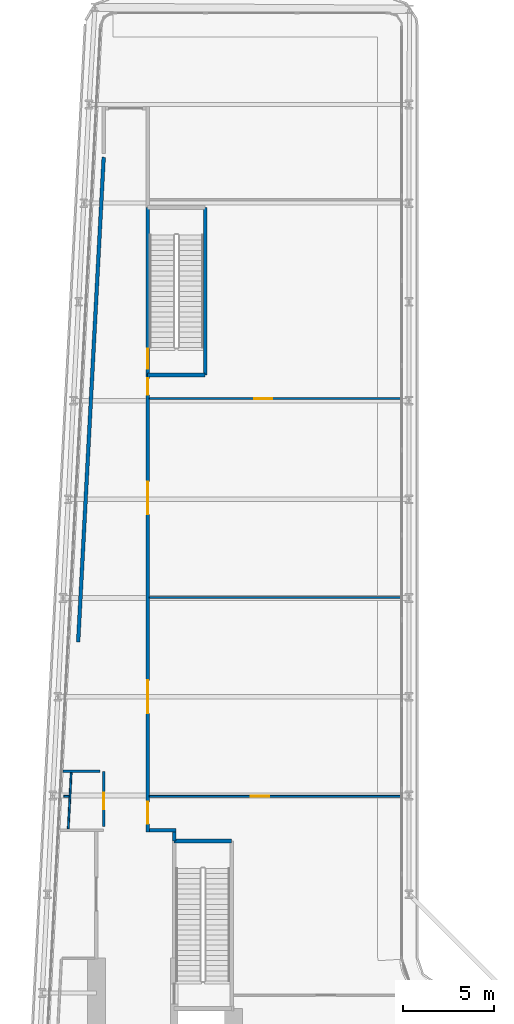
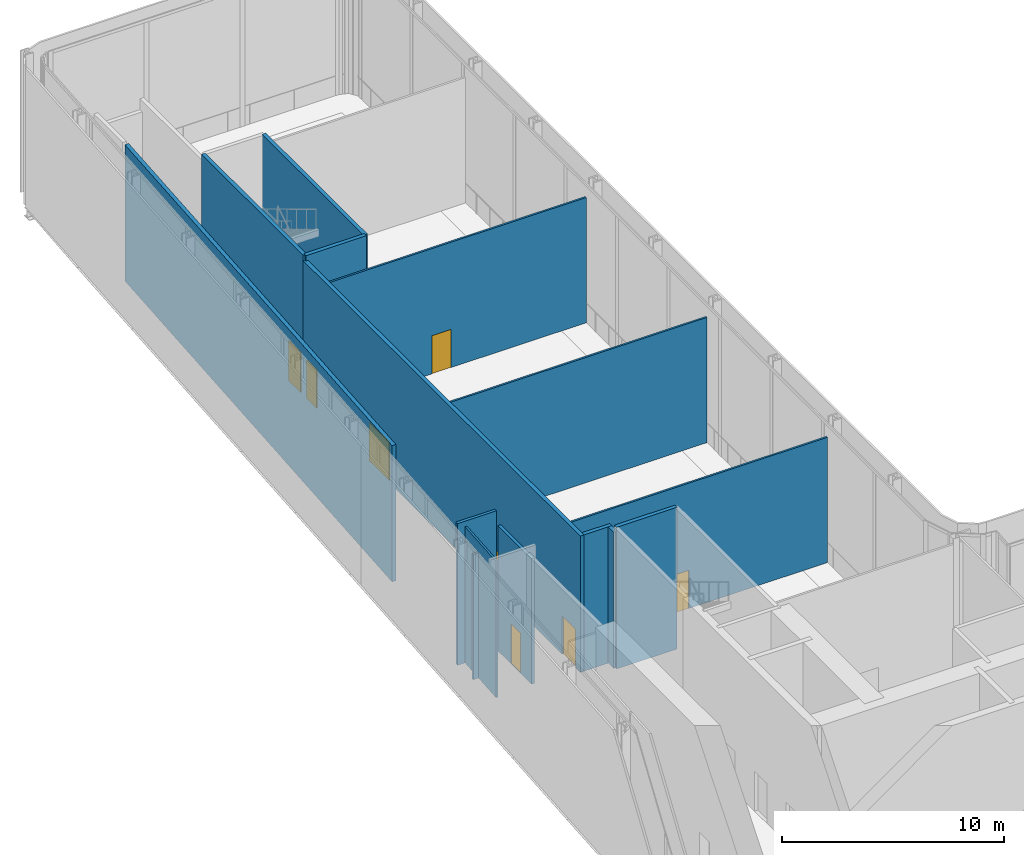
# One storey, part 27 of 36: 15 walls, 8 doors, 8 openings.
"""IFC4 building model written with IfcOpenShell, lengths in metres."""

from ifc_helpers import new_model, si_unit, direction, frame, frame_2d, origin, place, context, subcontext, project, spatial, rectangle, extrude, source, transform, mapped, material, layer, layer_set, type_object, element, fill, save


model = new_model("IFC4")

# Units and contexts
model_context = context("Model", 3, precision=1e-05, world=origin(), true_north=direction((0.0, 1.0)))
body_context = subcontext(model_context, "Body", "Model", "MODEL_VIEW")
ifc_project = project(units=[si_unit("LENGTHUNIT", "METRE"), si_unit("AREAUNIT", "SQUARE_METRE"), si_unit("VOLUMEUNIT", "CUBIC_METRE"), si_unit("PLANEANGLEUNIT", "RADIAN"), si_unit("MASSUNIT", "GRAM", prefix="KILO")], contexts=[model_context])

# Site, building, storey
site_placement = place(None, origin())
site = spatial("IfcSite", under=ifc_project, at=site_placement, CompositionType="ELEMENT")
building_placement = place(site_placement, origin())
building = spatial("IfcBuilding", under=site, at=building_placement, Name="Kheshtan School and Residences Tower", CompositionType="ELEMENT")
storey_placement = place(building_placement, frame((0.0, 0.0, 81.199951171875)))
storey = spatial("IfcBuildingStorey", under=building, at=storey_placement, Name="L19", CompositionType="ELEMENT", Elevation=81.199951171875)

# Wall
ifc_material_1 = material(Name="Gypsum board on steel studs with fire boards", Category="steel")
ifc_layer_1 = layer(ifc_material_1, 0.199951171875)
ifc_layer_set_1 = layer_set([ifc_layer_1], Name="Corridor wall 200")
wall_type_1 = type_object("IfcWallType", Name="Corridor wall 200", PredefinedType="PARTITIONING", material=ifc_layer_set_1)
wall_1_placement = place(storey_placement, frame((29.5009765625, 64.800048828125, 0.0), z_axis=(0.0, 0.0, 1.0), x_axis=(0.052619165502, 0.998614652117, 0.0)))
element("IfcWall", 1, at=wall_1_placement, inside=storey, type_object=wall_type_1, Name="Partition L19-012", PredefinedType="PARTITIONING", context=body_context, shape_type="SweptSolid", body=[
    extrude(rectangle(XDim=26.548828125, YDim=0.199951171875, at=frame_2d((13.2744140625, 0.0))), origin(), (0.0, 0.0, 1.0), 7.5),
])

# Wall, openings, doors
wall_2_placement = place(storey_placement, frame((33.300048828125, 54.39990234375, 0.0), z_axis=(0.0, 0.0, 1.0), x_axis=(0.0, 1.0, 0.0)))
wall_2 = element("IfcWall", 2, at=wall_2_placement, inside=storey, type_object=wall_type_1, Name="Partition L19-016", PredefinedType="PARTITIONING", context=body_context, shape_type="SweptSolid", body=[
    extrude(rectangle(XDim=25.0, YDim=0.199951171875, at=frame_2d((12.5, 0.0))), origin(), (0.0, 0.0, 1.0), 7.5),
])
opening_1_placement = place(wall_2_placement, frame((0.449951171875, 0.0, 0.0)))
opening_1 = element("IfcOpeningElement", 3, at=opening_1_placement, cuts=wall_2, Name="Opening D19-008", PredefinedType="OPENING", context=body_context, shape_type="SweptSolid", body=[
    extrude(rectangle(XDim=1.199951171875, YDim=2.10009765625, at=frame_2d((0.60009765625, 1.050048828125))), frame((0.0, 0.10986328125, 0.0), z_axis=(0.0, -1.0, 0.0), x_axis=(1.0, 0.0, 0.0)), (0.0, 0.0, 1.0), 0.219970703125),
])
opening_2_placement = place(wall_2_placement, frame((6.492919921875, 0.0, 0.0)))
opening_2 = element("IfcOpeningElement", 4, at=opening_2_placement, cuts=wall_2, Name="Opening D19-010", PredefinedType="OPENING", context=body_context, shape_type="SweptSolid", body=[
    extrude(rectangle(XDim=1.800048828125, YDim=2.10009765625, at=frame_2d((0.89990234375, 1.050048828125))), frame((0.0, 0.10986328125, 0.0), z_axis=(0.0, -1.0, 0.0), x_axis=(1.0, 0.0, 0.0)), (0.0, 0.0, 1.0), 0.219970703125),
])
opening_3_placement = place(wall_2_placement, frame((17.3720703125, 0.0, 0.0)))
opening_3 = element("IfcOpeningElement", 5, at=opening_3_placement, cuts=wall_2, Name="Opening D19-011", PredefinedType="OPENING", context=body_context, shape_type="SweptSolid", body=[
    extrude(rectangle(XDim=1.800048828125, YDim=2.10009765625, at=frame_2d((0.89990234375, 1.050048828125))), frame((0.0, 0.10986328125, 0.0), z_axis=(0.0, -1.0, 0.0), x_axis=(1.0, 0.0, 0.0)), (0.0, 0.0, 1.0), 0.219970703125),
])
opening_4_placement = place(wall_2_placement, frame((23.912109375, 0.0, 0.0)))
opening_4 = element("IfcOpeningElement", 6, at=opening_4_placement, cuts=wall_2, Name="Opening D19-014", PredefinedType="OPENING", context=body_context, shape_type="SweptSolid", body=[
    extrude(rectangle(XDim=0.89990234375, YDim=2.10009765625, at=frame_2d((0.449951171875, 1.050048828125))), frame((0.0, 0.10986328125, 0.0), z_axis=(0.0, -1.0, 0.0), x_axis=(1.0, 0.0, 0.0)), (0.0, 0.0, 1.0), 0.219970703125),
])
ifc_material_2 = material(Name="Steel-framed fire-resisting door leaf", Category="steel")
door_type_1 = type_object("IfcDoorType", Name="Fire double door FD60 1800 x 2100", OperationType="DOUBLE_DOOR_SINGLE_SWING", PredefinedType="DOOR", material=ifc_material_2)
shared_shape_1 = source(origin(), body_context, "Body", "SweptSolid", [
    extrude(rectangle(XDim=1.800048828125, YDim=2.10009765625, at=frame_2d((0.89990234375, 1.050048828125))), frame((0.0, 0.02490234375, 0.0), z_axis=(0.0, -1.0, 0.0), x_axis=(1.0, 0.0, 0.0)), (0.0, 0.0, 1.0), 0.050048828125),
])
door_1_placement = place(opening_2_placement, origin())
door_1 = element("IfcDoor", 7, at=door_1_placement, inside=storey, type_object=door_type_1, Name="Door D19-010", OperationType="DOUBLE_DOOR_SINGLE_SWING", OverallHeight=2.10009765625, OverallWidth=1.800048828125, PredefinedType="DOOR", context=body_context, shape_type="MappedRepresentation", body=[
    mapped(shared_shape_1, transform((0.0, 0.0, 0.0), x_axis=(1.0, 0.0, 0.0), y_axis=(0.0, 1.0, 0.0), z_axis=(0.0, 0.0, 1.0), scale=1.0)),
])
fill(opening_2, door_1)
door_2_placement = place(opening_3_placement, origin())
door_2 = element("IfcDoor", 8, at=door_2_placement, inside=storey, type_object=door_type_1, Name="Door D19-011", OperationType="DOUBLE_DOOR_SINGLE_SWING", OverallHeight=2.10009765625, OverallWidth=1.800048828125, PredefinedType="DOOR", context=body_context, shape_type="MappedRepresentation", body=[
    mapped(shared_shape_1, transform((0.0, 0.0, 0.0), x_axis=(1.0, 0.0, 0.0), y_axis=(0.0, 1.0, 0.0), z_axis=(0.0, 0.0, 1.0), scale=1.0)),
])
fill(opening_3, door_2)
door_type_2 = type_object("IfcDoorType", Name="Fire door FD60 1200 x 2100", OperationType="SINGLE_SWING_LEFT", PredefinedType="DOOR", material=ifc_material_2)
shared_shape_2 = source(origin(), body_context, "Body", "SweptSolid", [
    extrude(rectangle(XDim=1.199951171875, YDim=2.10009765625, at=frame_2d((0.60009765625, 1.050048828125))), frame((0.0, 0.02490234375, 0.0), z_axis=(0.0, -1.0, 0.0), x_axis=(1.0, 0.0, 0.0)), (0.0, 0.0, 1.0), 0.050048828125),
])
door_3_placement = place(opening_1_placement, origin())
door_3 = element("IfcDoor", 9, at=door_3_placement, inside=storey, type_object=door_type_2, Name="Door D19-008", OperationType="SINGLE_SWING_RIGHT", OverallHeight=2.10009765625, OverallWidth=1.199951171875, PredefinedType="DOOR", context=body_context, shape_type="MappedRepresentation", body=[
    mapped(shared_shape_2, transform((0.0, 0.0, 0.0), x_axis=(1.0, 0.0, 0.0), y_axis=(0.0, 1.0, 0.0), z_axis=(0.0, 0.0, 1.0), scale=1.0)),
])
fill(opening_1, door_3)
door_type_3 = type_object("IfcDoorType", Name="Fire door FD60 900 x 2100", OperationType="SINGLE_SWING_LEFT", PredefinedType="DOOR", material=ifc_material_2)
shared_shape_3 = source(origin(), body_context, "Body", "SweptSolid", [
    extrude(rectangle(XDim=0.89990234375, YDim=2.10009765625, at=frame_2d((0.449951171875, 1.050048828125))), frame((0.0, 0.02490234375, 0.0), z_axis=(0.0, -1.0, 0.0), x_axis=(1.0, 0.0, 0.0)), (0.0, 0.0, 1.0), 0.050048828125),
])
door_4_placement = place(opening_4_placement, origin())
door_4 = element("IfcDoor", 10, at=door_4_placement, inside=storey, type_object=door_type_3, Name="Door D19-014", OperationType="SINGLE_SWING_LEFT", OverallHeight=2.10009765625, OverallWidth=0.89990234375, PredefinedType="DOOR", context=body_context, shape_type="MappedRepresentation", body=[
    mapped(shared_shape_3, transform((0.0, 0.0, 0.0), x_axis=(1.0, 0.0, 0.0), y_axis=(0.0, 1.0, 0.0), z_axis=(0.0, 0.0, 1.0), scale=1.0)),
])
fill(opening_4, door_4)

# Walls
wall_3_placement = place(storey_placement, frame((33.39990234375, 54.5, 0.0), z_axis=(0.0, 0.0, 1.0), x_axis=(1.0, 0.0, 0.0)))
element("IfcWall", 11, at=wall_3_placement, inside=storey, type_object=wall_type_1, Name="Partition L19-018", PredefinedType="PARTITIONING", context=body_context, shape_type="SweptSolid", body=[
    extrude(rectangle(XDim=1.4501953125, YDim=0.199951171875, at=frame_2d((0.72509765625, 0.0))), origin(), (0.0, 0.0, 1.0), 7.5),
])
wall_4_placement = place(storey_placement, frame((34.75, 53.909912109375, 0.0), z_axis=(0.0, 0.0, 1.0), x_axis=(0.0, 1.0, 0.0)))
element("IfcWall", 12, at=wall_4_placement, inside=storey, type_object=wall_type_1, Name="Partition L19-023", PredefinedType="PARTITIONING", context=body_context, shape_type="SweptSolid", body=[
    extrude(rectangle(XDim=0.489990234375, YDim=0.199951171875, at=frame_2d((0.2451171875, 0.0))), origin(), (0.0, 0.0, 1.0), 7.5),
])
ifc_material_3 = material(Name="Gypsum board on steel studs", Category="steel")
ifc_layer_2 = layer(ifc_material_3, 0.10009765625)
ifc_layer_set_2 = layer_set([ifc_layer_2], Name="Gypsum partition 100")
wall_type_2 = type_object("IfcWallType", Name="Gypsum partition 100", PredefinedType="PARTITIONING", material=ifc_layer_set_2)
wall_5_placement = place(storey_placement, frame((28.72412109375, 56.35302734375, 0.0), z_axis=(0.0, 0.0, 1.0), x_axis=(1.0, 0.0, 0.0)))
element("IfcWall", 13, at=wall_5_placement, inside=storey, type_object=wall_type_2, Name="Partition L19-010", PredefinedType="PARTITIONING", context=body_context, shape_type="SweptSolid", body=[
    extrude(rectangle(XDim=0.27978515625, YDim=0.10009765625, at=frame_2d((0.139892578125, 0.0))), origin(), (0.0, 0.0, 1.0), 6.89697265625),
])
wall_6_placement = place(storey_placement, frame((28.9599609375, 54.573974609375, 0.0), z_axis=(0.0, 0.0, 1.0), x_axis=(0.052145785312, 0.998639483034, 0.0)))
element("IfcWall", 14, at=wall_6_placement, inside=storey, type_object=wall_type_2, Name="Partition L19-011", PredefinedType="PARTITIONING", context=body_context, shape_type="SweptSolid", body=[
    extrude(rectangle(XDim=3.0712890625, YDim=0.10009765625, at=frame_2d((1.53564453125, 0.0))), origin(), (0.0, 0.0, 1.0), 7.5),
])

# Wall, opening, door
wall_7_placement = place(storey_placement, frame((33.39990234375, 56.35302734375, 0.0), z_axis=(0.0, 0.0, 1.0), x_axis=(1.0, 0.0, 0.0)))
wall_7 = element("IfcWall", 15, at=wall_7_placement, inside=storey, type_object=wall_type_2, Name="Partition L19-019", PredefinedType="PARTITIONING", context=body_context, shape_type="SweptSolid", body=[
    extrude(rectangle(XDim=13.77001953125, YDim=0.10009765625, at=frame_2d((6.885009765625, 0.0))), origin(), (0.0, 0.0, 1.0), 6.89697265625),
])
opening_5_placement = place(wall_7_placement, frame((5.550048828125, 0.0, 0.0)))
opening_5 = element("IfcOpeningElement", 16, at=opening_5_placement, cuts=wall_7, Name="Opening D19-007", PredefinedType="OPENING", context=body_context, shape_type="SweptSolid", body=[
    extrude(rectangle(XDim=1.0, YDim=2.10009765625, at=frame_2d((0.5, 1.050048828125))), frame((0.0, 0.06005859375, 0.0), z_axis=(0.0, -1.0, 0.0), x_axis=(1.0, 0.0, 0.0)), (0.0, 0.0, 1.0), 0.1201171875),
])
ifc_material_4 = material(Name="Veneered timber door leaf", Category="wood")
door_type_4 = type_object("IfcDoorType", Name="Door 1000 x 2100", OperationType="SINGLE_SWING_LEFT", PredefinedType="DOOR", material=ifc_material_4)
shared_shape_4 = source(origin(), body_context, "Body", "SweptSolid", [
    extrude(rectangle(XDim=1.0, YDim=2.10009765625, at=frame_2d((0.5, 1.050048828125))), frame((0.0, 0.02490234375, 0.0), z_axis=(0.0, -1.0, 0.0), x_axis=(1.0, 0.0, 0.0)), (0.0, 0.0, 1.0), 0.050048828125),
])
door_5_placement = place(opening_5_placement, origin())
door_5 = element("IfcDoor", 17, at=door_5_placement, inside=storey, type_object=door_type_4, Name="Door D19-007", OperationType="SINGLE_SWING_LEFT", OverallHeight=2.10009765625, OverallWidth=1.0, PredefinedType="DOOR", context=body_context, shape_type="MappedRepresentation", body=[
    mapped(shared_shape_4, transform((0.0, 0.0, 0.0), x_axis=(1.0, 0.0, 0.0), y_axis=(0.0, 1.0, 0.0), z_axis=(0.0, 0.0, 1.0), scale=1.0)),
])
fill(opening_5, door_5)

# Wall
wall_8_placement = place(storey_placement, frame((33.39990234375, 67.23193359375, 0.0), z_axis=(0.0, 0.0, 1.0), x_axis=(1.0, 0.0, 0.0)))
element("IfcWall", 18, at=wall_8_placement, inside=storey, type_object=wall_type_2, Name="Partition L19-020", PredefinedType="PARTITIONING", context=body_context, shape_type="SweptSolid", body=[
    extrude(rectangle(XDim=13.77001953125, YDim=0.10009765625, at=frame_2d((6.885009765625, 0.0))), origin(), (0.0, 0.0, 1.0), 6.89697265625),
])

# Wall, opening, door
wall_9_placement = place(storey_placement, frame((33.39990234375, 78.112060546875, 0.0), z_axis=(0.0, 0.0, 1.0), x_axis=(1.0, 0.0, 0.0)))
wall_9 = element("IfcWall", 19, at=wall_9_placement, inside=storey, type_object=wall_type_2, Name="Partition L19-021", PredefinedType="PARTITIONING", context=body_context, shape_type="SweptSolid", body=[
    extrude(rectangle(XDim=13.77001953125, YDim=0.10009765625, at=frame_2d((6.885009765625, 0.0))), origin(), (0.0, 0.0, 1.0), 6.89697265625),
])
opening_6_placement = place(wall_9_placement, frame((5.72998046875, 0.0, 0.0)))
opening_6 = element("IfcOpeningElement", 20, at=opening_6_placement, cuts=wall_9, Name="Opening D19-013", PredefinedType="OPENING", context=body_context, shape_type="SweptSolid", body=[
    extrude(rectangle(XDim=1.0, YDim=2.10009765625, at=frame_2d((0.5, 1.050048828125))), frame((0.0, 0.06005859375, 0.0), z_axis=(0.0, -1.0, 0.0), x_axis=(1.0, 0.0, 0.0)), (0.0, 0.0, 1.0), 0.1201171875),
])
door_6_placement = place(opening_6_placement, origin())
door_6 = element("IfcDoor", 21, at=door_6_placement, inside=storey, type_object=door_type_4, Name="Door D19-013", OperationType="SINGLE_SWING_LEFT", OverallHeight=2.10009765625, OverallWidth=1.0, PredefinedType="DOOR", context=body_context, shape_type="MappedRepresentation", body=[
    mapped(shared_shape_4, transform((0.0, 0.0, 0.0), x_axis=(1.0, 0.0, 0.0), y_axis=(0.0, 1.0, 0.0), z_axis=(0.0, 0.0, 1.0), scale=1.0)),
])
fill(opening_6, door_6)

ifc_material_5 = material(Name="Fire-board shaft wall system")
ifc_layer_3 = layer(ifc_material_5, 0.14990234375)
ifc_layer_set_3 = layer_set([ifc_layer_3], Name="Service room wall 150")
wall_type_3 = type_object("IfcWallType", Name="Service room wall 150", PredefinedType="PARTITIONING", material=ifc_layer_set_3)
wall_10_placement = place(storey_placement, frame((30.89990234375, 54.695068359375, 0.0), z_axis=(0.0, 0.0, 1.0), x_axis=(0.0, 1.0, 0.0)))
wall_10 = element("IfcWall", 22, at=wall_10_placement, inside=storey, type_object=wall_type_3, Name="Service room wall", PredefinedType="PARTITIONING", context=body_context, shape_type="SweptSolid", body=[
    extrude(rectangle(XDim=3.02490234375, YDim=0.14990234375, at=frame_2d((1.512451171875, 0.0))), origin(), (0.0, 0.0, 1.0), 6.89697265625),
])
opening_7_placement = place(wall_10_placement, frame((0.965087890625, 0.0, 0.0)))
opening_7 = element("IfcOpeningElement", 23, at=opening_7_placement, cuts=wall_10, Name="Opening SR90", PredefinedType="OPENING", context=body_context, shape_type="SweptSolid", body=[
    extrude(rectangle(XDim=0.89990234375, YDim=2.199951171875, at=frame_2d((0.449951171875, 1.10009765625))), frame((0.0, 0.0849609375, 0.0), z_axis=(0.0, -1.0, 0.0), x_axis=(1.0, 0.0, 0.0)), (0.0, 0.0, 1.0), 0.169921875),
])
ifc_material_6 = material(Name="Steel door leaf, galvanised", Category="steel")
door_type_5 = type_object("IfcDoorType", Name="Service room door 900 steel 90 min", OperationType="SINGLE_SWING_LEFT", PredefinedType="DOOR", material=ifc_material_6)
shared_shape_5 = source(origin(), body_context, "Body", "SweptSolid", [
    extrude(rectangle(XDim=0.89990234375, YDim=2.199951171875, at=frame_2d((0.449951171875, 1.10009765625))), frame((0.0, 0.02490234375, 0.0), z_axis=(0.0, -1.0, 0.0), x_axis=(1.0, 0.0, 0.0)), (0.0, 0.0, 1.0), 0.050048828125),
])
door_7_placement = place(opening_7_placement, origin())
door_7 = element("IfcDoor", 24, at=door_7_placement, inside=storey, type_object=door_type_5, Name="Service room door", OperationType="SINGLE_SWING_LEFT", OverallHeight=2.199951171875, OverallWidth=0.89990234375, PredefinedType="DOOR", context=body_context, shape_type="MappedRepresentation", body=[
    mapped(shared_shape_5, transform((0.0, 0.0, 0.0), x_axis=(1.0, 0.0, 0.0), y_axis=(0.0, 1.0, 0.0), z_axis=(0.0, 0.0, 1.0), scale=1.0)),
])
fill(opening_7, door_7)

# Walls
wall_11_placement = place(storey_placement, frame((28.677978515625, 57.719970703125, 0.0), z_axis=(0.0, 0.0, 1.0), x_axis=(1.0, 0.0, 0.0)))
element("IfcWall", 25, at=wall_11_placement, inside=storey, type_object=wall_type_3, Name="Service room wall", PredefinedType="PARTITIONING", context=body_context, shape_type="SweptSolid", body=[
    extrude(rectangle(XDim=2.027099609375, YDim=0.14990234375, at=frame_2d((1.013671875, 0.0))), origin(), (0.0, 0.0, 1.0), 7.800048828125),
])
ifc_material_7 = material(Name="Concrete C40/50", Category="concrete")
ifc_layer_4 = layer(ifc_material_7, 0.199951171875)
ifc_layer_set_4 = layer_set([ifc_layer_4], Name="Stair enclosure wall 200 Concrete C40/50")
wall_type_4 = type_object("IfcWallType", Name="Stair enclosure wall 200 Concrete C40/50", PredefinedType="SHEAR", material=ifc_layer_set_4)
for number, where, z_axis, x_axis, name in (
    (26, (34.75, 53.909912109375, 0.0), (0.0, 0.0, 1.0), (1.0, 0.0, 0.0), "Stair enclosure wall ST2"),
    (27, (33.300048828125, 79.39990234375, 0.0), (0.0, 0.0, 1.0), (1.0, 0.0, 0.0), "Stair enclosure wall ST3"),
):
    element("IfcWall", number, at=place(storey_placement, frame(where, z_axis=z_axis, x_axis=x_axis)), inside=storey, type_object=wall_type_4, Name=name, PredefinedType="SHEAR", context=body_context, shape_type="SweptSolid", body=[
        extrude(rectangle(XDim=3.14990234375, YDim=0.199951171875, at=frame_2d((1.574951171875, 0.0))), origin(), (0.0, 0.0, 1.0), 7.800048828125),
    ])

# Wall, opening, door
wall_12_placement = place(storey_placement, frame((33.300048828125, 79.39990234375, 0.0), z_axis=(0.0, 0.0, 1.0), x_axis=(0.0, 1.0, 0.0)))
wall_12 = element("IfcWall", 28, at=wall_12_placement, inside=storey, type_object=wall_type_4, Name="Stair enclosure wall ST3", PredefinedType="SHEAR", context=body_context, shape_type="SweptSolid", body=[
    extrude(rectangle(XDim=9.16015625, YDim=0.199951171875, at=frame_2d((4.580078125, 0.0))), origin(), (0.0, 0.0, 1.0), 7.800048828125),
])
opening_8_placement = place(wall_12_placement, frame((0.35009765625, 0.0, 0.0)))
opening_8 = element("IfcOpeningElement", 29, at=opening_8_placement, cuts=wall_12, Name="Opening ST3D", PredefinedType="OPENING", context=body_context, shape_type="SweptSolid", body=[
    extrude(rectangle(XDim=1.10009765625, YDim=2.199951171875, at=frame_2d((0.550048828125, 1.10009765625))), frame((0.0, 0.10986328125, 0.0), z_axis=(0.0, -1.0, 0.0), x_axis=(1.0, 0.0, 0.0)), (0.0, 0.0, 1.0), 0.219970703125),
])
door_type_6 = type_object("IfcDoorType", Name="Stair door 1100 steel 90 min", OperationType="SINGLE_SWING_LEFT", PredefinedType="DOOR", material=ifc_material_6)
shared_shape_6 = source(origin(), body_context, "Body", "SweptSolid", [
    extrude(rectangle(XDim=1.10009765625, YDim=2.199951171875, at=frame_2d((0.550048828125, 1.10009765625))), frame((0.0, 0.02490234375, 0.0), z_axis=(0.0, -1.0, 0.0), x_axis=(1.0, 0.0, 0.0)), (0.0, 0.0, 1.0), 0.050048828125),
])
door_8_placement = place(opening_8_placement, origin())
door_8 = element("IfcDoor", 30, at=door_8_placement, inside=storey, type_object=door_type_6, Name="Stair ST3 door", OperationType="SINGLE_SWING_RIGHT", OverallHeight=2.199951171875, OverallWidth=1.10009765625, PredefinedType="DOOR", context=body_context, shape_type="MappedRepresentation", body=[
    mapped(shared_shape_6, transform((0.0, 0.0, 0.0), x_axis=(1.0, 0.0, 0.0), y_axis=(0.0, 1.0, 0.0), z_axis=(0.0, 0.0, 1.0), scale=1.0)),
])
fill(opening_8, door_8)

# Wall
wall_13_placement = place(storey_placement, frame((36.449951171875, 79.39990234375, 0.0), z_axis=(0.0, 0.0, 1.0), x_axis=(0.0, 1.0, 0.0)))
element("IfcWall", 31, at=wall_13_placement, inside=storey, type_object=wall_type_4, Name="Stair enclosure wall ST3", PredefinedType="SHEAR", context=body_context, shape_type="SweptSolid", body=[
    extrude(rectangle(XDim=9.16015625, YDim=0.199951171875, at=frame_2d((4.580078125, 0.0))), origin(), (0.0, 0.0, 1.0), 7.800048828125),
])

save(model, "model.ifc")
